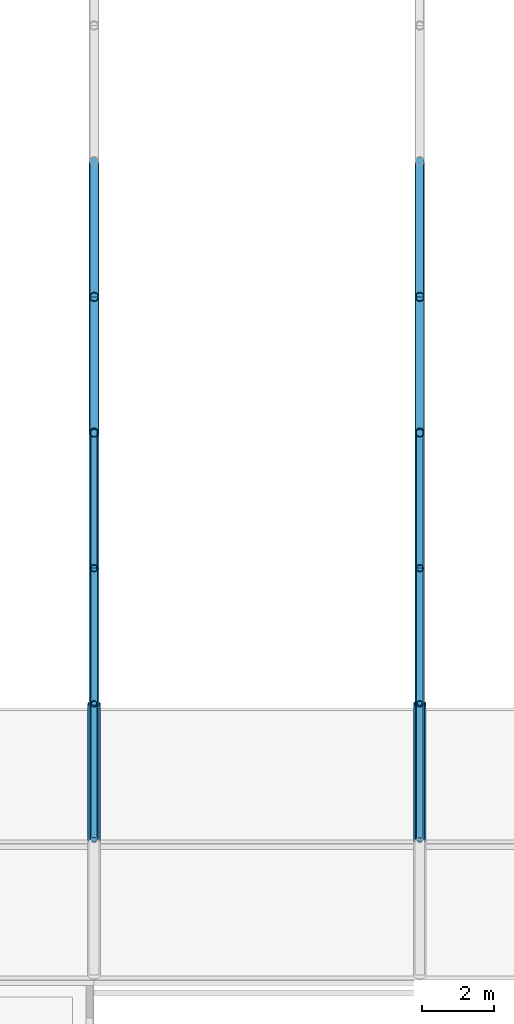
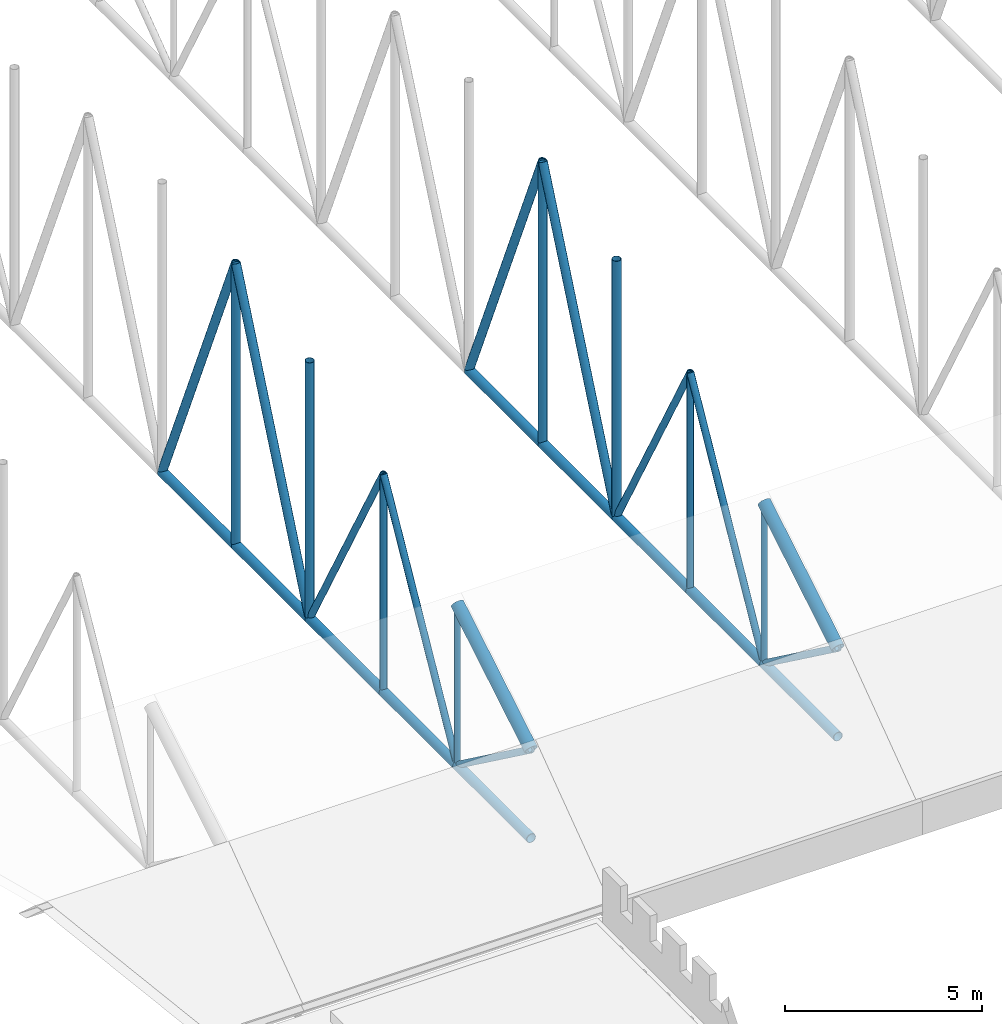
# One storey, part 49 of 153: 30 members.
"""IFC4 building model written with IfcOpenShell, lengths in metres."""

import ifcopenshell
import ifcopenshell.guid

model = None  # the IFC model being written
_history = None  # IfcOwnerHistory: only IFC2X3 demands one
_inside = {}  # id of a spatial element -> (the spatial element, [elements in it])
_under = {}  # id of a project, library or spatial element -> (it, [spatial elements below it])
_declared = {}  # id of a project -> (the project, [libraries it declares])
_typed = {}  # id of a type object -> (the type object, [elements of that type])
_made_of = {}  # id of a material, layer set ... -> (it, [elements and type objects made of it])


def new_model(schema):
    """Start an empty IFC model of exactly this schema.

    Asked for "IFC4X3", IfcOpenShell would pick the latest addendum, in which some entities
    have other attributes; the version numbers below select the first issue.
    IFC2X3 requires an IfcOwnerHistory on every rooted entity: one is made here for all.
    """
    global model, _history
    if schema == "IFC4X3":
        model = ifcopenshell.file(schema_version=(4, 3, 0, 0))
    else:
        model = ifcopenshell.file(schema=schema)
    _inside.clear()
    _under.clear()
    _declared.clear()
    _typed.clear()
    _made_of.clear()
    _history = None
    if model.schema == "IFC2X3":
        org = make("IfcOrganization", Name="unknown")
        user = make(
            "IfcPersonAndOrganization",
            ThePerson=make("IfcPerson", FamilyName="unknown"),
            TheOrganization=org,
        )
        app = make(
            "IfcApplication",
            ApplicationDeveloper=org,
            Version="unknown",
            ApplicationFullName="unknown",
            ApplicationIdentifier="unknown",
        )
        _history = make(
            "IfcOwnerHistory",
            OwningUser=user,
            OwningApplication=app,
            ChangeAction="ADDED",
            CreationDate=0,
        )
    return model


def make(cls, **values):
    """One entity of the class cls with the attributes given. An attribute that is None is left unset."""
    return model.create_entity(
        cls, **{name: value for name, value in values.items() if value is not None}
    )


def rooted(cls, **values):
    """An entity with a GlobalId (a new one), such as an element, a storey or a relation."""
    return make(cls, GlobalId=ifcopenshell.guid.new(), OwnerHistory=_history, **values)


def si_unit(unit_type, name, prefix=None):
    """IfcSIUnit, for example si_unit("LENGTHUNIT", "METRE", prefix="MILLI")."""
    return make("IfcSIUnit", UnitType=unit_type, Prefix=prefix, Name=name)


def assignment(units):
    """IfcUnitAssignment: the units of a project."""
    return None if units is None else make("IfcUnitAssignment", Units=units)


def point(xyz):
    """IfcCartesianPoint."""
    return None if xyz is None else make("IfcCartesianPoint", Coordinates=xyz)


def direction(xyz):
    """IfcDirection."""
    return None if xyz is None else make("IfcDirection", DirectionRatios=xyz)


def frame(location, z_axis=None, x_axis=None):
    """IfcAxis2Placement3D, a coordinate frame: its origin and axes. An axis left out is left unset."""
    return make(
        "IfcAxis2Placement3D",
        Location=point(location),
        Axis=direction(z_axis),
        RefDirection=direction(x_axis),
    )


def frame_2d(location, x_axis=None):
    """IfcAxis2Placement2D, a coordinate frame in the plane: its origin and x axis."""
    return make(
        "IfcAxis2Placement2D", Location=point(location), RefDirection=direction(x_axis)
    )


def origin():
    """The frame at (0, 0, 0) with its axes left unset."""
    return frame((0.0, 0.0, 0.0))


def origin_2d():
    """The frame at (0, 0) in the plane with its x axis left unset."""
    return frame_2d((0.0, 0.0))


def place(relative_to, where):
    """IfcLocalPlacement: puts the frame where relative to a parent placement (None: the world)."""
    return make(
        "IfcLocalPlacement", PlacementRelTo=relative_to, RelativePlacement=where
    )


def context(
    kind, dimensions, precision=None, world=None, true_north=None, identifier=None
):
    """IfcGeometricRepresentationContext, for example the 3D "Model" context."""
    return make(
        "IfcGeometricRepresentationContext",
        ContextIdentifier=identifier,
        ContextType=kind,
        CoordinateSpaceDimension=dimensions,
        Precision=precision,
        WorldCoordinateSystem=world,
        TrueNorth=true_north,
    )


def subcontext(parent, identifier, kind, view, scale=None):
    """IfcGeometricRepresentationSubContext, for example "Body" below "Model"."""
    return make(
        "IfcGeometricRepresentationSubContext",
        ContextIdentifier=identifier,
        ContextType=kind,
        ParentContext=parent,
        TargetScale=scale,
        TargetView=view,
    )


def project(units=None, contexts=None):
    """IfcProject with its units and contexts."""
    return rooted(
        "IfcProject",
        Name="project",
        RepresentationContexts=contexts,
        UnitsInContext=assignment(units),
    )


def spatial(cls, under=None, at=None, **own):
    """A site, building, storey or space (cls), placed at a placement, below another one or the project."""
    s = rooted(cls, ObjectPlacement=at, **own)
    if under is not None:
        _under.setdefault(under.id(), (under, []))[1].append(s)
    return s


def profile(cls, at=None, kind="AREA", **sizes):
    """A parametric profile (cls). Its sizes go by their IFC names, for example OverallWidth=200.0."""
    return make(cls, ProfileType=kind, Position=at, **sizes)


def hollow_circle(**sizes):
    """IfcCircleHollowProfileDef."""
    return profile("IfcCircleHollowProfileDef", **sizes)


def extrude(swept, where, along, depth):
    """IfcExtrudedAreaSolid: the profile swept, set in the frame where, extruded along a direction by depth."""
    return make(
        "IfcExtrudedAreaSolid",
        SweptArea=swept,
        Position=where,
        ExtrudedDirection=direction(along),
        Depth=depth,
    )


def shape(context_of_items, identifier, shape_type, items):
    """IfcShapeRepresentation: the items that make up one representation, for example the "Body"."""
    return make(
        "IfcShapeRepresentation",
        ContextOfItems=context_of_items,
        RepresentationIdentifier=identifier,
        RepresentationType=shape_type,
        Items=items,
    )


def material(Name=None, Category=None):
    """IfcMaterial."""
    return make("IfcMaterial", Name=Name, Category=Category)


def material_profile(
    of_material, cross_section, Name=None, Category=None, Priority=None
):
    """IfcMaterialProfile: a cross section and its material."""
    return make(
        "IfcMaterialProfile",
        Name=Name,
        Material=of_material,
        Profile=cross_section,
        Priority=Priority,
        Category=Category,
    )


def profile_set(profiles, Name=None, composite=None):
    """IfcMaterialProfileSet."""
    return make(
        "IfcMaterialProfileSet",
        Name=Name,
        MaterialProfiles=profiles,
        CompositeProfile=composite,
    )


def made_of(thing, what):
    """Note that an element or type object is made of a material, layer set ...; save() writes the relation."""
    if what is not None:
        _made_of.setdefault(what.id(), (what, []))[1].append(thing)
    return thing


def type_object(cls, material=None, **own):
    """A type object (cls), such as IfcWallType, which elements share."""
    return made_of(rooted(cls, **own), material)


def element(
    cls,
    number,
    at=None,
    inside=None,
    cuts=None,
    type_object=None,
    material=None,
    context=None,
    identifier="Body",
    shape_type=None,
    held_by="IfcProductDefinitionShape",
    body=None,
    shapes=None,
    **own,
):
    """One element of the class cls, such as IfcWall. Its Tag is "e" and its number.

    at: its placement. inside: the storey or other place that contains it. cuts: it is an
    opening in that element (IfcRelVoidsElement). A single representation is given by context,
    identifier, shape_type and body (its items); several are given by shapes. held_by: the class
    of the entity that holds the representations. save() writes the other relations.
    """
    e = rooted(cls, Tag="e%d" % number, ObjectPlacement=at, **own)
    if body is not None:
        shapes = [shape(context, identifier, shape_type, body)]
    if shapes is not None:
        e.Representation = make(held_by, Representations=shapes)
    if inside is not None:
        _inside.setdefault(inside.id(), (inside, []))[1].append(e)
    if cuts is not None:
        rooted(
            "IfcRelVoidsElement", RelatingBuildingElement=cuts, RelatedOpeningElement=e
        )
    if type_object is not None:
        _typed.setdefault(type_object.id(), (type_object, []))[1].append(e)
    return made_of(e, material)


def aggregate(whole, parts):
    """IfcRelAggregates: a whole, such as a stair, and the parts it consists of."""
    return rooted("IfcRelAggregates", RelatingObject=whole, RelatedObjects=parts)


def save(model, path):
    """Write the relations noted so far, then the file.

    IfcRelAggregates (storeys below a building ...), IfcRelContainedInSpatialStructure (elements
    in a storey), IfcRelDefinesByType, IfcRelAssociatesMaterial and IfcRelDeclares: one each for
    every whole, place, type object, material and project.
    """
    for whole, parts in _under.values():
        aggregate(whole, parts)
    for where, things in _inside.values():
        rooted(
            "IfcRelContainedInSpatialStructure",
            RelatedElements=things,
            RelatingStructure=where,
        )
    for kind, things in _typed.values():
        rooted("IfcRelDefinesByType", RelatedObjects=things, RelatingType=kind)
    for what, things in _made_of.values():
        rooted("IfcRelAssociatesMaterial", RelatedObjects=things, RelatingMaterial=what)
    for by, libraries in _declared.values():
        rooted("IfcRelDeclares", RelatingContext=by, RelatedDefinitions=libraries)
    model.write(path)


model = new_model("IFC4")

# Units and contexts
model_context = context("Model", 3, precision=1e-05, world=origin(), true_north=direction((0.0, 1.0)))
body_context = subcontext(model_context, "Body", "Model", "MODEL_VIEW")
ifc_project = project(units=[si_unit("LENGTHUNIT", "METRE"), si_unit("AREAUNIT", "SQUARE_METRE"), si_unit("VOLUMEUNIT", "CUBIC_METRE"), si_unit("PLANEANGLEUNIT", "RADIAN"), si_unit("MASSUNIT", "GRAM", prefix="KILO")], contexts=[model_context])

# Site, building, storey
site_placement = place(None, origin())
site = spatial("IfcSite", under=ifc_project, at=site_placement, CompositionType="ELEMENT")
building_placement = place(site_placement, origin())
building = spatial("IfcBuilding", under=site, at=building_placement, Name="Baradari Gate Terminus", CompositionType="ELEMENT")
storey_placement = place(building_placement, frame((0.0, 0.0, 11.699951171875)))
storey = spatial("IfcBuildingStorey", under=building, at=storey_placement, Name="L02", CompositionType="ELEMENT", Elevation=11.699951171875)

# Members
ifc_material_1 = material(Name="Steel S355", Category="steel")
ifc_material_profile_1 = material_profile(ifc_material_1, hollow_circle(Radius=0.136474609375, WallThickness=0.012451171875, at=origin_2d()), Name="CHS 273x12.5")
ifc_profile_set_1 = profile_set([ifc_material_profile_1], Name="Steel S355")
member_type_1 = type_object("IfcMemberType", Name="Shed bottom chord CHS 273x12.5", PredefinedType="CHORD", material=ifc_profile_set_1)
for number, where, z_axis, x_axis, name in (
    (1, (153.0, 39.75, 0.136474609375), (0.0, 1.0, 0.0), (-1.0, 0.0, 0.0), "TR/L02/S153-BC01"),
    (2, (153.0, 43.5, 0.136474609375), (0.0, 1.0, 0.0), (-1.0, 0.0, 0.0), "TR/L02/S153-BC02"),
    (3, (153.0, 47.25, 0.136474609375), (0.0, 1.0, 0.0), (-1.0, 0.0, 0.0), "TR/L02/S153-BC03"),
    (4, (153.0, 51.0, 0.136474609375), (0.0, 1.0, 0.0), (-1.0, 0.0, 0.0), "TR/L02/S153-BC04"),
    (5, (153.0, 54.75, 0.136474609375), (0.0, 1.0, 0.0), (-1.0, 0.0, 0.0), "TR/L02/S153-BC05"),
    (6, (162.0, 39.75, 0.136474609375), (0.0, 1.0, 0.0), (-1.0, 0.0, 0.0), "TR/L02/S162-BC01"),
    (7, (162.0, 43.5, 0.136474609375), (0.0, 1.0, 0.0), (-1.0, 0.0, 0.0), "TR/L02/S162-BC02"),
    (8, (162.0, 47.25, 0.136474609375), (0.0, 1.0, 0.0), (-1.0, 0.0, 0.0), "TR/L02/S162-BC03"),
    (9, (162.0, 51.0, 0.136474609375), (0.0, 1.0, 0.0), (-1.0, 0.0, 0.0), "TR/L02/S162-BC04"),
    (10, (162.0, 54.75, 0.136474609375), (0.0, 1.0, 0.0), (-1.0, 0.0, 0.0), "TR/L02/S162-BC05"),
):
    element("IfcMember", number, at=place(storey_placement, frame(where, z_axis=z_axis, x_axis=x_axis)), inside=storey, type_object=member_type_1, Name=name, PredefinedType="CHORD", context=body_context, shape_type="SweptSolid", body=[
        extrude(hollow_circle(Radius=0.136474609375, WallThickness=0.012451171875, at=origin_2d()), origin(), (0.0, 0.0, 1.0), 3.75),
    ])
ifc_material_2 = material(Name="Steel S355", Category="steel")
ifc_material_profile_2 = material_profile(ifc_material_2, hollow_circle(Radius=0.177734375, WallThickness=0.01611328125, at=origin_2d()), Name="CHS 355.6x16")
ifc_profile_set_2 = profile_set([ifc_material_profile_2], Name="Steel S355")
member_type_2 = type_object("IfcMemberType", Name="Shed top chord CHS 355.6x16", PredefinedType="CHORD", material=ifc_profile_set_2)
for number, where, z_axis, x_axis, name in (
    (11, (153.0, 39.75, 2.886474609375), (0.0, 0.857492925713, 0.514495755428), (-1.0, 0.0, 0.0), "TR/L02/S153-TC01"),
    (12, (162.0, 39.75, 2.886474609375), (0.0, 0.857492925713, 0.514495755428), (-1.0, 0.0, 0.0), "TR/L02/S162-TC01"),
):
    element("IfcMember", number, at=place(storey_placement, frame(where, z_axis=z_axis, x_axis=x_axis)), inside=storey, type_object=member_type_2, Name=name, PredefinedType="CHORD", context=body_context, shape_type="SweptSolid", body=[
        extrude(hollow_circle(Radius=0.177734375, WallThickness=0.01611328125, at=origin_2d()), origin(), (0.0, 0.0, 1.0), 4.373291015625),
    ])
ifc_material_3 = material(Name="Steel S355", Category="steel")
ifc_material_profile_3 = material_profile(ifc_material_3, hollow_circle(Radius=0.096923828125, WallThickness=0.008056640625, at=origin_2d()), Name="CHS 193.7x8")
ifc_profile_set_3 = profile_set([ifc_material_profile_3], Name="Steel S355")
member_type_3 = type_object("IfcMemberType", Name="Shed truss diagonal CHS 193.7x8", PredefinedType="BRACE", material=ifc_profile_set_3)
member_1_placement = place(storey_placement, frame((153.0, 39.75, 2.886474609375), z_axis=(0.0, 0.806404995856, -0.591363663628), x_axis=(-1.0, 0.0, 0.0)))
element("IfcMember", 13, at=member_1_placement, inside=storey, type_object=member_type_3, Name="TR/L02/S153-SD01", PredefinedType="BRACE", context=body_context, shape_type="SweptSolid", body=[
    extrude(hollow_circle(Radius=0.096923828125, WallThickness=0.008056640625, at=origin_2d()), origin(), (0.0, 0.0, 1.0), 4.650390625),
])
for number, where, z_axis, x_axis, name in (
    (14, (153.0, 47.25, 6.886474609375), (0.0, -0.485642931179, -0.874157276122), (1.0, 0.0, 0.0), "TR/L02/S153-SD02"),
    (15, (153.0, 47.25, 6.886474609375), (0.0, 0.485642931179, -0.874157276122), (-1.0, 0.0, 0.0), "TR/L02/S153-SD03"),
):
    element("IfcMember", number, at=place(storey_placement, frame(where, z_axis=z_axis, x_axis=x_axis)), inside=storey, type_object=member_type_3, Name=name, PredefinedType="BRACE", context=body_context, shape_type="SweptSolid", body=[
        extrude(hollow_circle(Radius=0.096923828125, WallThickness=0.008056640625, at=origin_2d()), origin(), (0.0, 0.0, 1.0), 7.7216796875),
    ])
member_2_placement = place(storey_placement, frame((162.0, 39.75, 2.886474609375), z_axis=(0.0, 0.806404995856, -0.591363663628), x_axis=(-1.0, 0.0, 0.0)))
element("IfcMember", 16, at=member_2_placement, inside=storey, type_object=member_type_3, Name="TR/L02/S162-SD01", PredefinedType="BRACE", context=body_context, shape_type="SweptSolid", body=[
    extrude(hollow_circle(Radius=0.096923828125, WallThickness=0.008056640625, at=origin_2d()), origin(), (0.0, 0.0, 1.0), 4.650390625),
])
for number, where, z_axis, x_axis, name in (
    (17, (162.0, 47.25, 6.886474609375), (0.0, -0.485642931179, -0.874157276122), (1.0, 0.0, 0.0), "TR/L02/S162-SD02"),
    (18, (162.0, 47.25, 6.886474609375), (0.0, 0.485642931179, -0.874157276122), (-1.0, 0.0, 0.0), "TR/L02/S162-SD03"),
):
    element("IfcMember", number, at=place(storey_placement, frame(where, z_axis=z_axis, x_axis=x_axis)), inside=storey, type_object=member_type_3, Name=name, PredefinedType="BRACE", context=body_context, shape_type="SweptSolid", body=[
        extrude(hollow_circle(Radius=0.096923828125, WallThickness=0.008056640625, at=origin_2d()), origin(), (0.0, 0.0, 1.0), 7.7216796875),
    ])
ifc_material_4 = material(Name="Steel S355", Category="steel")
ifc_material_profile_4 = material_profile(ifc_material_4, hollow_circle(Radius=0.122314453125, WallThickness=0.010009765625, at=origin_2d()), Name="CHS 244.5x10")
ifc_profile_set_4 = profile_set([ifc_material_profile_4], Name="Steel S355")
member_type_4 = type_object("IfcMemberType", Name="Shed truss diagonal CHS 244.5x10", PredefinedType="BRACE", material=ifc_profile_set_4)
for number, where, z_axis, x_axis, name in (
    (19, (153.0, 54.75, 8.886474609375), (0.0, -0.393919298579, -0.919145030018), (1.0, 0.0, 0.0), "TR/L02/S153-SD04"),
    (20, (153.0, 54.75, 8.886474609375), (0.0, 0.393919298579, -0.919145030018), (-1.0, 0.0, 0.0), "TR/L02/S153-SD05"),
    (21, (162.0, 54.75, 8.886474609375), (0.0, -0.393919298579, -0.919145030018), (1.0, 0.0, 0.0), "TR/L02/S162-SD04"),
    (22, (162.0, 54.75, 8.886474609375), (0.0, 0.393919298579, -0.919145030018), (-1.0, 0.0, 0.0), "TR/L02/S162-SD05"),
):
    element("IfcMember", number, at=place(storey_placement, frame(where, z_axis=z_axis, x_axis=x_axis)), inside=storey, type_object=member_type_4, Name=name, PredefinedType="BRACE", context=body_context, shape_type="SweptSolid", body=[
        extrude(hollow_circle(Radius=0.122314453125, WallThickness=0.010009765625, at=origin_2d()), origin(), (0.0, 0.0, 1.0), 9.519775390625),
    ])
ifc_material_5 = material(Name="Steel S355", Category="steel")
ifc_material_profile_5 = material_profile(ifc_material_5, hollow_circle(Radius=0.084228515625, WallThickness=0.008056640625, at=origin_2d()), Name="CHS 168.3x8")
ifc_profile_set_5 = profile_set([ifc_material_profile_5], Name="Steel S355")
member_type_5 = type_object("IfcMemberType", Name="Shed truss post CHS 168.3x8", PredefinedType="POST", material=ifc_profile_set_5)
for number, where, z_axis, x_axis, name in (
    (23, (153.0, 43.5, 0.136474609375), (0.0, 0.0, 1.0), (1.0, 0.0, 0.0), "TR/L02/S153-SP02"),
    (24, (162.0, 43.5, 0.136474609375), (0.0, 0.0, 1.0), (1.0, 0.0, 0.0), "TR/L02/S162-SP02"),
):
    element("IfcMember", number, at=place(storey_placement, frame(where, z_axis=z_axis, x_axis=x_axis)), inside=storey, type_object=member_type_5, Name=name, PredefinedType="POST", context=body_context, shape_type="SweptSolid", body=[
        extrude(hollow_circle(Radius=0.084228515625, WallThickness=0.008056640625, at=origin_2d()), origin(), (0.0, 0.0, 1.0), 5.0),
    ])
ifc_material_6 = material(Name="Steel S355", Category="steel")
ifc_material_profile_6 = material_profile(ifc_material_6, hollow_circle(Radius=0.096923828125, WallThickness=0.008056640625, at=origin_2d()), Name="CHS 193.7x8")
ifc_profile_set_6 = profile_set([ifc_material_profile_6], Name="Steel S355")
member_type_6 = type_object("IfcMemberType", Name="Shed truss post CHS 193.7x8", PredefinedType="POST", material=ifc_profile_set_6)
for number, where, z_axis, x_axis, name in (
    (25, (153.0, 47.25, 0.136474609375), (0.0, 0.0, 1.0), (1.0, 0.0, 0.0), "TR/L02/S153-SP03"),
    (26, (162.0, 47.25, 0.136474609375), (0.0, 0.0, 1.0), (1.0, 0.0, 0.0), "TR/L02/S162-SP03"),
):
    element("IfcMember", number, at=place(storey_placement, frame(where, z_axis=z_axis, x_axis=x_axis)), inside=storey, type_object=member_type_6, Name=name, PredefinedType="POST", context=body_context, shape_type="SweptSolid", body=[
        extrude(hollow_circle(Radius=0.096923828125, WallThickness=0.008056640625, at=origin_2d()), origin(), (0.0, 0.0, 1.0), 6.75),
    ])
ifc_material_7 = material(Name="Steel S355", Category="steel")
ifc_material_profile_7 = material_profile(ifc_material_7, hollow_circle(Radius=0.122314453125, WallThickness=0.010009765625, at=origin_2d()), Name="CHS 244.5x10")
ifc_profile_set_7 = profile_set([ifc_material_profile_7], Name="Steel S355")
member_type_7 = type_object("IfcMemberType", Name="Shed truss post CHS 244.5x10", PredefinedType="POST", material=ifc_profile_set_7)
member_3_placement = place(storey_placement, frame((153.0, 51.0, 0.136474609375), z_axis=(0.0, 0.0, 1.0), x_axis=(1.0, 0.0, 0.0)))
element("IfcMember", 27, at=member_3_placement, inside=storey, type_object=member_type_7, Name="TR/L02/S153-SP04", PredefinedType="POST", context=body_context, shape_type="SweptSolid", body=[
    extrude(hollow_circle(Radius=0.122314453125, WallThickness=0.010009765625, at=origin_2d()), origin(), (0.0, 0.0, 1.0), 8.0),
])
member_4_placement = place(storey_placement, frame((153.0, 54.75, 0.136474609375), z_axis=(0.0, 0.0, 1.0), x_axis=(1.0, 0.0, 0.0)))
element("IfcMember", 28, at=member_4_placement, inside=storey, type_object=member_type_7, Name="TR/L02/S153-SP05", PredefinedType="POST", context=body_context, shape_type="SweptSolid", body=[
    extrude(hollow_circle(Radius=0.122314453125, WallThickness=0.010009765625, at=origin_2d()), origin(), (0.0, 0.0, 1.0), 8.75),
])
member_5_placement = place(storey_placement, frame((162.0, 51.0, 0.136474609375), z_axis=(0.0, 0.0, 1.0), x_axis=(1.0, 0.0, 0.0)))
element("IfcMember", 29, at=member_5_placement, inside=storey, type_object=member_type_7, Name="TR/L02/S162-SP04", PredefinedType="POST", context=body_context, shape_type="SweptSolid", body=[
    extrude(hollow_circle(Radius=0.122314453125, WallThickness=0.010009765625, at=origin_2d()), origin(), (0.0, 0.0, 1.0), 8.0),
])
member_6_placement = place(storey_placement, frame((162.0, 54.75, 0.136474609375), z_axis=(0.0, 0.0, 1.0), x_axis=(1.0, 0.0, 0.0)))
element("IfcMember", 30, at=member_6_placement, inside=storey, type_object=member_type_7, Name="TR/L02/S162-SP05", PredefinedType="POST", context=body_context, shape_type="SweptSolid", body=[
    extrude(hollow_circle(Radius=0.122314453125, WallThickness=0.010009765625, at=origin_2d()), origin(), (0.0, 0.0, 1.0), 8.75),
])

save(model, "model.ifc")
